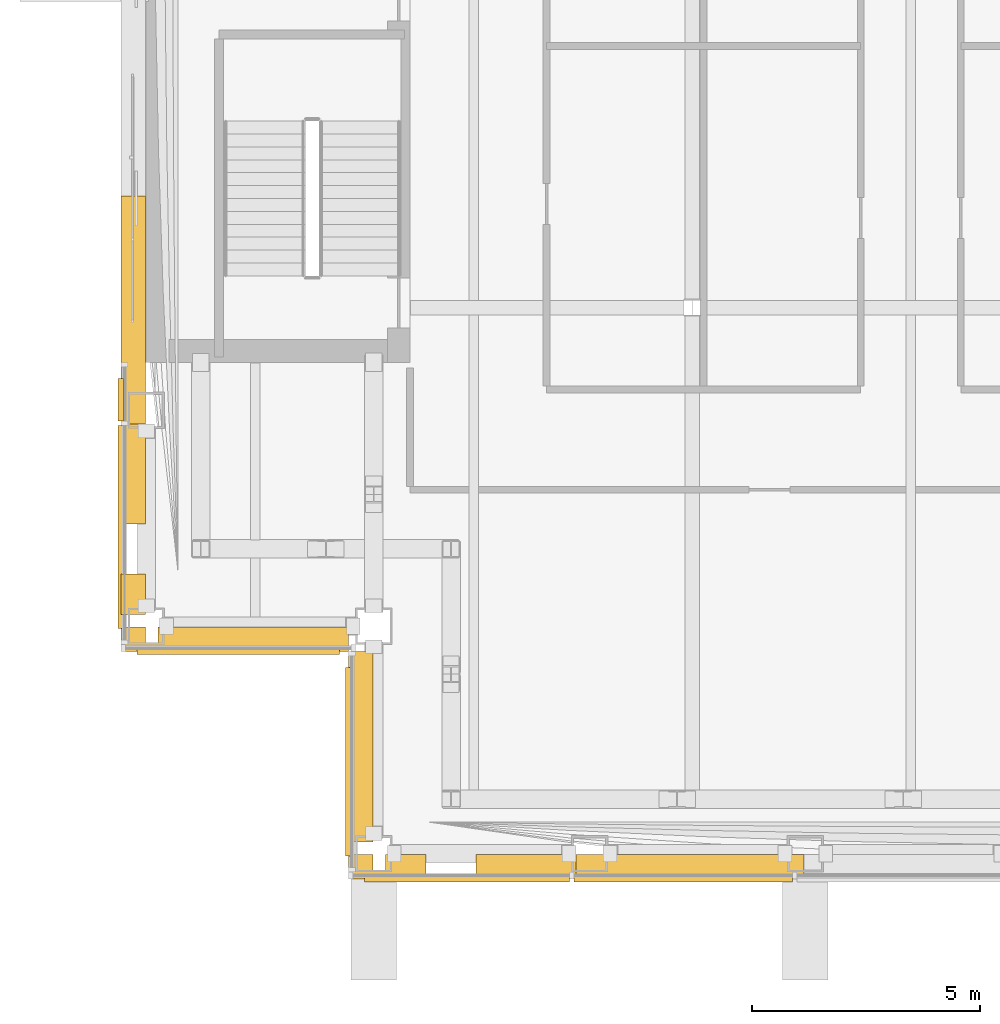
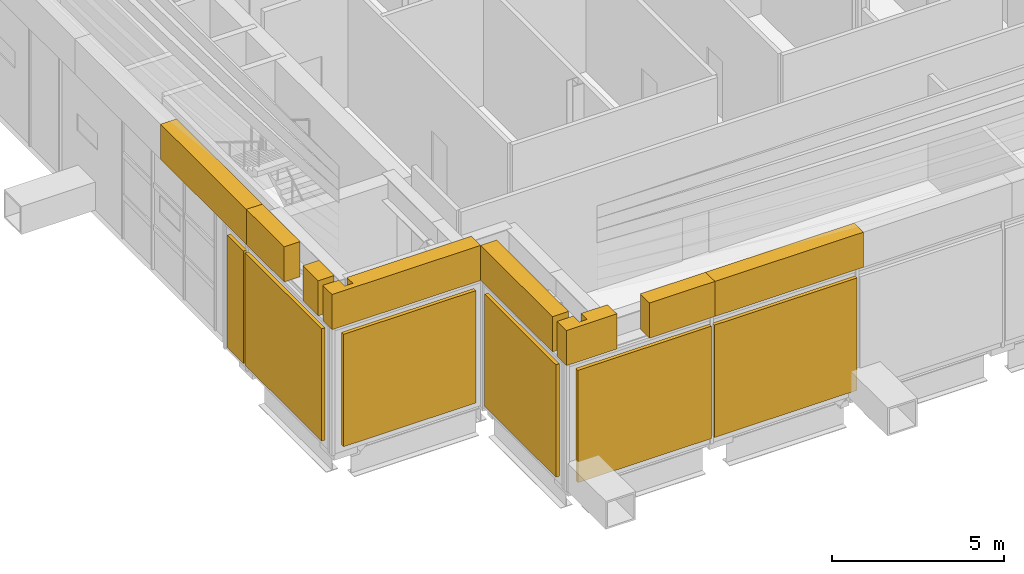
# One storey, part 16 of 29: 14 coverings.
"""IFC4 building model written with IfcOpenShell, lengths in metres."""

from ifc_helpers import new_model, si_unit, direction, frame, origin, origin_2d, place, context, subcontext, project, spatial, polyline, rectangle, outline, extrude, material, type_object, element, save


model = new_model("IFC4")

# Units and contexts
model_context = context("Model", 3, precision=1e-05, world=origin(), true_north=direction((0.0, 1.0)))
body_context = subcontext(model_context, "Body", "Model", "MODEL_VIEW")
ifc_project = project(units=[si_unit("LENGTHUNIT", "METRE"), si_unit("AREAUNIT", "SQUARE_METRE"), si_unit("VOLUMEUNIT", "CUBIC_METRE"), si_unit("PLANEANGLEUNIT", "RADIAN"), si_unit("MASSUNIT", "GRAM", prefix="KILO")], contexts=[model_context])

# Site, building, storey
site_placement = place(None, origin())
site = spatial("IfcSite", under=ifc_project, at=site_placement, CompositionType="ELEMENT")
building_placement = place(site_placement, origin())
building = spatial("IfcBuilding", under=site, at=building_placement, Name="Cobrizo Arcos Hotel Tower", CompositionType="ELEMENT")
storey_placement = place(building_placement, frame((0.0, 0.0, 186.5)))
storey = spatial("IfcBuildingStorey", under=building, at=storey_placement, Name="L48", CompositionType="ELEMENT", Elevation=186.5)

# Coverings
ifc_material_1 = material(Name="Aluminium 6063-T6 anodised pale", Category="aluminium")
covering_type_1 = type_object("IfcCoveringType", Name="LF-1 setback skirt", PredefinedType="CLADDING", material=ifc_material_1)
covering_1_placement = place(storey_placement, frame((0.0, 0.0, 4.5)))
element("IfcCovering", 1, at=covering_1_placement, inside=storey, type_object=covering_type_1, Name="Setback skirt L48", PredefinedType="CLADDING", context=body_context, shape_type="SweptSolid", body=[
    extrude(outline(polyline([(-21.610107421875, -16.610107421875), (-22.14990234375, -16.610107421875), (-22.14990234375, -17.14990234375), (-17.14990234375, -17.14990234375), (-17.14990234375, -16.610107421875), (-21.340087890625, -16.610107421875), (-21.340087890625, -16.949951171875), (-21.340087890625, -16.950927734375), (-21.340087890625, -16.951904296875), (-21.34033203125, -16.952880859375), (-21.3408203125, -16.953857421875), (-21.34130859375, -16.95458984375), (-21.341796875, -16.95556640625), (-21.34228515625, -16.956298828125), (-21.343017578125, -16.95703125), (-21.34375, -16.957763671875), (-21.344482421875, -16.958251953125), (-21.34521484375, -16.958740234375), (-21.34619140625, -16.959228515625), (-21.34716796875, -16.959716796875), (-21.347900390625, -16.959716796875), (-21.34912109375, -16.9599609375), (-21.35009765625, -16.9599609375), (-21.60009765625, -16.9599609375), (-21.60107421875, -16.9599609375), (-21.60205078125, -16.959716796875), (-21.602783203125, -16.959716796875), (-21.603759765625, -16.959228515625), (-21.604736328125, -16.958740234375), (-21.605712890625, -16.958251953125), (-21.606201171875, -16.957763671875), (-21.607177734375, -16.95703125), (-21.607666015625, -16.956298828125), (-21.6083984375, -16.95556640625), (-21.60888671875, -16.95458984375), (-21.609130859375, -16.953857421875), (-21.609619140625, -16.952880859375), (-21.60986328125, -16.951904296875), (-21.610107421875, -16.950927734375), (-21.610107421875, -16.949951171875), (-21.610107421875, -16.610107421875)])), origin(), (0.0, 0.0, 1.0), 1.25),
])
covering_2_placement = place(storey_placement, frame((0.0, 0.0, 4.5)))
element("IfcCovering", 2, at=covering_2_placement, inside=storey, type_object=covering_type_1, Name="Setback skirt L48", PredefinedType="CLADDING", context=body_context, shape_type="SweptSolid", body=[
    extrude(outline(polyline([(-22.14990234375, -16.340087890625), (-21.610107421875, -16.340087890625), (-21.610107421875, -15.449951171875), (-22.14990234375, -15.449951171875), (-22.14990234375, -16.340087890625)])), origin(), (0.0, 0.0, 1.0), 1.25),
])
covering_3_placement = place(storey_placement, frame((0.0, 0.0, 4.5)))
element("IfcCovering", 3, at=covering_3_placement, inside=storey, type_object=covering_type_1, Name="Setback skirt L48", PredefinedType="CLADDING", context=body_context, shape_type="SweptSolid", body=[
    extrude(outline(polyline([(-22.14990234375, -14.35009765625), (-21.610107421875, -14.35009765625), (-21.610107421875, -12.14990234375), (-22.14990234375, -12.14990234375), (-22.14990234375, -14.35009765625)])), origin(), (0.0, 0.0, 1.0), 1.25),
])
covering_4_placement = place(storey_placement, frame((0.0, 0.0, 4.5)))
element("IfcCovering", 4, at=covering_4_placement, inside=storey, type_object=covering_type_1, Name="Setback skirt L48", PredefinedType="CLADDING", context=body_context, shape_type="SweptSolid", body=[
    extrude(outline(polyline([(-22.14990234375, -7.14990234375), (-22.14990234375, -12.14990234375), (-21.610107421875, -12.14990234375), (-21.610107421875, -7.14990234375), (-22.14990234375, -7.14990234375)])), origin(), (0.0, 0.0, 1.0), 1.25),
])
covering_5_placement = place(storey_placement, frame((0.0, 0.0, 4.5)))
element("IfcCovering", 5, at=covering_5_placement, inside=storey, type_object=covering_type_1, Name="Setback skirt L48", PredefinedType="CLADDING", context=body_context, shape_type="SweptSolid", body=[
    extrude(outline(polyline([(-14.35009765625, -21.610107421875), (-14.35009765625, -22.14990234375), (-12.14990234375, -22.14990234375), (-12.14990234375, -21.610107421875), (-14.35009765625, -21.610107421875)])), origin(), (0.0, 0.0, 1.0), 1.25),
])
covering_6_placement = place(storey_placement, frame((0.0, 0.0, 4.5)))
element("IfcCovering", 6, at=covering_6_placement, inside=storey, type_object=covering_type_1, Name="Setback skirt L48", PredefinedType="CLADDING", context=body_context, shape_type="SweptSolid", body=[
    extrude(outline(polyline([(-17.14990234375, -21.610107421875), (-17.14990234375, -22.14990234375), (-15.449951171875, -22.14990234375), (-15.449951171875, -21.610107421875), (-16.340087890625, -21.610107421875), (-16.340087890625, -21.949951171875), (-16.340087890625, -21.950927734375), (-16.340087890625, -21.951904296875), (-16.34033203125, -21.952880859375), (-16.3408203125, -21.953857421875), (-16.34130859375, -21.95458984375), (-16.341796875, -21.95556640625), (-16.34228515625, -21.956298828125), (-16.343017578125, -21.95703125), (-16.34375, -21.957763671875), (-16.344482421875, -21.958251953125), (-16.34521484375, -21.958740234375), (-16.34619140625, -21.959228515625), (-16.34716796875, -21.959716796875), (-16.347900390625, -21.959716796875), (-16.34912109375, -21.9599609375), (-16.35009765625, -21.9599609375), (-16.60009765625, -21.9599609375), (-16.60107421875, -21.9599609375), (-16.60205078125, -21.959716796875), (-16.602783203125, -21.959716796875), (-16.603759765625, -21.959228515625), (-16.604736328125, -21.958740234375), (-16.605712890625, -21.958251953125), (-16.606201171875, -21.957763671875), (-16.607177734375, -21.95703125), (-16.607666015625, -21.956298828125), (-16.6083984375, -21.95556640625), (-16.60888671875, -21.95458984375), (-16.609130859375, -21.953857421875), (-16.609619140625, -21.952880859375), (-16.60986328125, -21.951904296875), (-16.610107421875, -21.950927734375), (-16.610107421875, -21.949951171875), (-16.610107421875, -21.610107421875), (-17.14990234375, -21.610107421875)])), origin(), (0.0, 0.0, 1.0), 1.25),
])
covering_7_placement = place(storey_placement, frame((0.0, 0.0, 4.5)))
element("IfcCovering", 7, at=covering_7_placement, inside=storey, type_object=covering_type_1, Name="Setback skirt L48", PredefinedType="CLADDING", context=body_context, shape_type="SweptSolid", body=[
    extrude(outline(polyline([(-16.60009765625, -17.18310546875), (-16.60009765625, -17.14990234375), (-17.14990234375, -17.14990234375), (-17.14990234375, -21.340087890625), (-16.610107421875, -21.340087890625), (-16.610107421875, -17.199951171875), (-16.610107421875, -17.198974609375), (-16.60986328125, -17.197998046875), (-16.609619140625, -17.197021484375), (-16.609130859375, -17.1962890625), (-16.60888671875, -17.1953125), (-16.6083984375, -17.1943359375), (-16.60009765625, -17.18310546875)])), origin(), (0.0, 0.0, 1.0), 1.25),
])
covering_8_placement = place(storey_placement, frame((0.0, 0.0, 4.5)))
element("IfcCovering", 8, at=covering_8_placement, inside=storey, type_object=covering_type_1, Name="Setback skirt L48", PredefinedType="CLADDING", context=body_context, shape_type="SweptSolid", body=[
    extrude(outline(polyline([(-7.14990234375, -21.610107421875), (-12.14990234375, -21.610107421875), (-12.14990234375, -22.14990234375), (-7.14990234375, -22.14990234375), (-7.14990234375, -21.610107421875)])), origin(), (0.0, 0.0, 1.0), 1.25),
])
ifc_material_2 = material(Name="Aluminium 6063-T6 anodised bronze", Category="aluminium")
covering_type_2 = type_object("IfcCoveringType", Name="LV-1 plant louvre band", PredefinedType="CLADDING", material=ifc_material_2)
covering_9_placement = place(storey_placement, frame((-14.550048828125, -22.155029296875, 0.25), z_axis=(0.0, 0.0, 1.0), x_axis=(1.0, 0.0, 0.0)))
element("IfcCovering", 9, at=covering_9_placement, inside=storey, type_object=covering_type_2, Name="louvre band 1666", PredefinedType="CLADDING", context=body_context, shape_type="SweptSolid", body=[
    extrude(rectangle(XDim=4.5, YDim=0.1201171875, at=origin_2d()), origin(), (0.0, 0.0, 1.0), 4.0),
])
covering_10_placement = place(storey_placement, frame((-9.800048828125, -22.155029296875, 0.25), z_axis=(0.0, 0.0, 1.0), x_axis=(1.0, 0.0, 0.0)))
element("IfcCovering", 10, at=covering_10_placement, inside=storey, type_object=covering_type_2, Name="louvre band 1667", PredefinedType="CLADDING", context=body_context, shape_type="SweptSolid", body=[
    extrude(rectangle(XDim=4.800048828125, YDim=0.1201171875, at=origin_2d()), origin(), (0.0, 0.0, 1.0), 4.0),
])
covering_11_placement = place(storey_placement, frame((-22.155029296875, -11.621337890625, 0.25), z_axis=(0.0, 0.0, 1.0), x_axis=(0.0, -1.0, 0.0)))
element("IfcCovering", 11, at=covering_11_placement, inside=storey, type_object=covering_type_2, Name="louvre band 1692", PredefinedType="CLADDING", context=body_context, shape_type="SweptSolid", body=[
    extrude(rectangle(XDim=0.94287109375, YDim=0.1201171875, at=origin_2d()), origin(), (0.0, 0.0, 1.0), 4.0),
])
covering_12_placement = place(storey_placement, frame((-22.155029296875, -14.42138671875, 0.25), z_axis=(0.0, 0.0, 1.0), x_axis=(0.0, -1.0, 0.0)))
element("IfcCovering", 12, at=covering_12_placement, inside=storey, type_object=covering_type_2, Name="louvre band 1693", PredefinedType="CLADDING", context=body_context, shape_type="SweptSolid", body=[
    extrude(rectangle(XDim=4.45703125, YDim=0.1201171875, at=origin_2d()), origin(), (0.0, 0.0, 1.0), 4.0),
])
covering_13_placement = place(storey_placement, frame((-19.574951171875, -17.155029296875, 0.25), z_axis=(0.0, 0.0, 1.0), x_axis=(1.0, 0.0, 0.0)))
element("IfcCovering", 13, at=covering_13_placement, inside=storey, type_object=covering_type_2, Name="louvre band 1694", PredefinedType="CLADDING", context=body_context, shape_type="SweptSolid", body=[
    extrude(rectangle(XDim=4.449951171875, YDim=0.1201171875, at=origin_2d()), origin(), (0.0, 0.0, 1.0), 4.0),
])
covering_14_placement = place(storey_placement, frame((-17.155029296875, -19.574951171875, 0.25), z_axis=(0.0, 0.0, 1.0), x_axis=(0.0, -1.0, 0.0)))
element("IfcCovering", 14, at=covering_14_placement, inside=storey, type_object=covering_type_2, Name="louvre band 1695", PredefinedType="CLADDING", context=body_context, shape_type="SweptSolid", body=[
    extrude(rectangle(XDim=4.14990234375, YDim=0.1201171875, at=origin_2d()), origin(), (0.0, 0.0, 1.0), 4.0),
])

save(model, "model.ifc")
